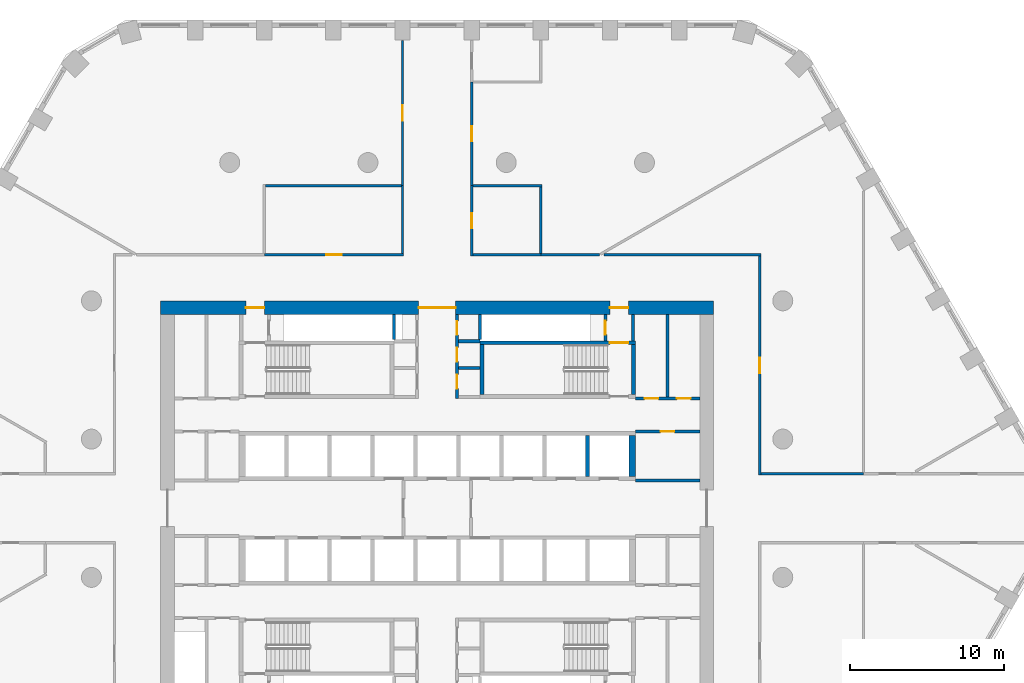
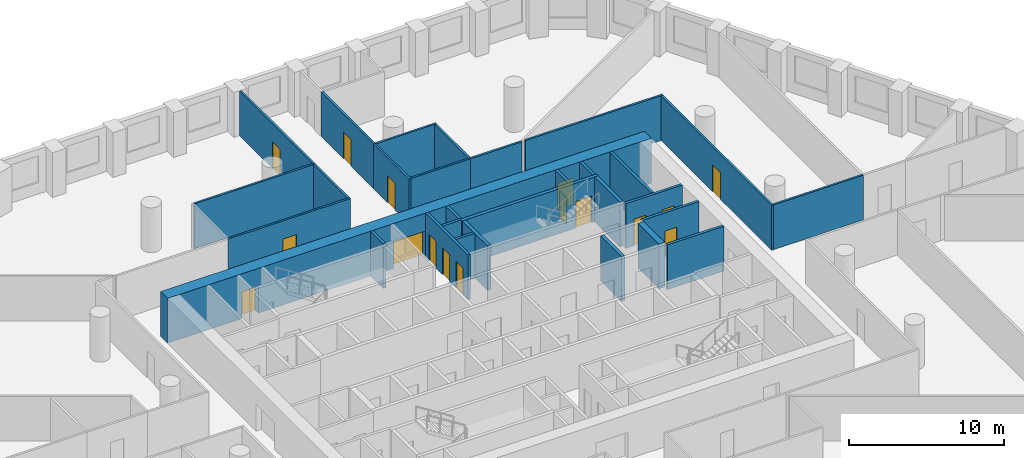
# One storey, part 7 of 10: 30 walls, 16 doors, 16 openings.
"""IFC4 building model written with IfcOpenShell, lengths in metres."""

from ifc_helpers import new_model, si_unit, direction, frame, frame_2d, origin, place, context, subcontext, project, spatial, polyline, rectangle, outline, extrude, material, layer, layer_set, type_object, element, fill, save


model = new_model("IFC4")

# Units and contexts
model_context = context("Model", 3, precision=1e-05, world=origin(), true_north=direction((0.0, 1.0)))
body_context = subcontext(model_context, "Body", "Model", "MODEL_VIEW")
ifc_project = project(units=[si_unit("LENGTHUNIT", "METRE"), si_unit("AREAUNIT", "SQUARE_METRE"), si_unit("VOLUMEUNIT", "CUBIC_METRE"), si_unit("PLANEANGLEUNIT", "RADIAN"), si_unit("MASSUNIT", "GRAM", prefix="KILO")], contexts=[model_context])

# Site, building, storey
site_placement = place(None, origin())
site = spatial("IfcSite", under=ifc_project, at=site_placement, CompositionType="ELEMENT")
building_placement = place(site_placement, origin())
building = spatial("IfcBuilding", under=site, at=building_placement, Name="Dhurran Vertical Campus", CompositionType="ELEMENT")
storey_placement = place(building_placement, frame((0.0, 0.0, 108.60009765625)))
storey = spatial("IfcBuildingStorey", under=building, at=storey_placement, Name="L26", CompositionType="ELEMENT", Elevation=108.60009765625)

# Wall, openings, doors
ifc_material_1 = material(Name="Concrete C60/75", Category="concrete")
ifc_layer_1 = layer(ifc_material_1, 0.89990234375)
ifc_layer_set_1 = layer_set([ifc_layer_1], Name="Concrete C60/75")
wall_type_1 = type_object("IfcWallType", Name="co-CORE-WALL-C0-900", PredefinedType="SHEAR", material=ifc_layer_set_1)
wall_1_placement = place(storey_placement, frame((-18.0, 13.050048828125, 0.0), z_axis=(0.0, 0.0, 1.0), x_axis=(1.0, 0.0, 0.0)))
wall_1 = element("IfcWall", 1, at=wall_1_placement, inside=storey, type_object=wall_type_1, Name="Core wall N L26", PredefinedType="SHEAR", context=body_context, shape_type="SweptSolid", body=[
    extrude(rectangle(XDim=36.0, YDim=0.89990234375, at=frame_2d((18.0, 0.0))), origin(), (0.0, 0.0, 1.0), 3.52490234375),
])
opening_1_placement = place(wall_1_placement, frame((16.800048828125, 0.0, 0.0)))
opening_1 = element("IfcOpeningElement", 2, at=opening_1_placement, cuts=wall_1, Name="Opening CV1", PredefinedType="OPENING", context=body_context, shape_type="SweptSolid", body=[
    extrude(rectangle(XDim=2.39990234375, YDim=2.10009765625, at=frame_2d((1.199951171875, 1.050048828125))), frame((0.0, 0.4599609375, 0.0), z_axis=(0.0, -1.0, 0.0), x_axis=(1.0, 0.0, 0.0)), (0.0, 0.0, 1.0), 0.919921875),
])
opening_2_placement = place(wall_1_placement, frame((5.550048828125, 0.0, 0.0)))
opening_2 = element("IfcOpeningElement", 3, at=opening_2_placement, cuts=wall_1, Name="Opening XD1", PredefinedType="OPENING", context=body_context, shape_type="SweptSolid", body=[
    extrude(rectangle(XDim=1.199951171875, YDim=2.10009765625, at=frame_2d((0.60009765625, 1.050048828125))), frame((0.0, 0.4599609375, 0.0), z_axis=(0.0, -1.0, 0.0), x_axis=(1.0, 0.0, 0.0)), (0.0, 0.0, 1.0), 0.919921875),
])
opening_3_placement = place(wall_1_placement, frame((29.25, 0.0, 0.0)))
opening_3 = element("IfcOpeningElement", 4, at=opening_3_placement, cuts=wall_1, Name="Opening XD2", PredefinedType="OPENING", context=body_context, shape_type="SweptSolid", body=[
    extrude(rectangle(XDim=1.199951171875, YDim=2.10009765625, at=frame_2d((0.60009765625, 1.050048828125))), frame((0.0, 0.4599609375, 0.0), z_axis=(0.0, -1.0, 0.0), x_axis=(1.0, 0.0, 0.0)), (0.0, 0.0, 1.0), 0.919921875),
])
ifc_material_2 = material(Name="Fire-rated glazed door set")
door_type_1 = type_object("IfcDoorType", Name="co-D-LOBBY 2400x2100", OperationType="DOUBLE_DOOR_DOUBLE_SWING", PredefinedType="DOOR", material=ifc_material_2)
door_1_placement = place(opening_1_placement, origin())
door_1 = element("IfcDoor", 5, at=door_1_placement, inside=storey, type_object=door_type_1, Name="Core vestibule door N L26", OperationType="DOUBLE_DOOR_DOUBLE_SWING", OverallHeight=2.10009765625, OverallWidth=2.39990234375, PredefinedType="DOOR", context=body_context, shape_type="SweptSolid", body=[
    extrude(rectangle(XDim=2.39990234375, YDim=2.10009765625, at=frame_2d((1.199951171875, 1.050048828125))), frame((0.0, 0.02490234375, 0.0), z_axis=(0.0, -1.0, 0.0), x_axis=(1.0, 0.0, 0.0)), (0.0, 0.0, 1.0), 0.050048828125),
])
fill(opening_1, door_1)
ifc_material_3 = material(Name="Fire-rated steel door set", Category="steel")
door_type_2 = type_object("IfcDoorType", Name="co-D-STAIR-EXIT 1200x2100", OperationType="SINGLE_SWING_RIGHT", PredefinedType="DOOR", material=ifc_material_3)
door_2_placement = place(opening_2_placement, origin())
door_2 = element("IfcDoor", 6, at=door_2_placement, inside=storey, type_object=door_type_2, Name="Stair ST1 exit door L26", OperationType="SINGLE_SWING_RIGHT", OverallHeight=2.10009765625, OverallWidth=1.199951171875, PredefinedType="DOOR", context=body_context, shape_type="SweptSolid", body=[
    extrude(rectangle(XDim=1.199951171875, YDim=2.10009765625, at=frame_2d((0.60009765625, 1.050048828125))), frame((0.0, 0.02490234375, 0.0), z_axis=(0.0, -1.0, 0.0), x_axis=(1.0, 0.0, 0.0)), (0.0, 0.0, 1.0), 0.050048828125),
])
fill(opening_2, door_2)
door_3_placement = place(opening_3_placement, origin())
door_3 = element("IfcDoor", 7, at=door_3_placement, inside=storey, type_object=door_type_2, Name="Stair ST2 exit door L26", OperationType="SINGLE_SWING_RIGHT", OverallHeight=2.10009765625, OverallWidth=1.199951171875, PredefinedType="DOOR", context=body_context, shape_type="SweptSolid", body=[
    extrude(rectangle(XDim=1.199951171875, YDim=2.10009765625, at=frame_2d((0.60009765625, 1.050048828125))), frame((0.0, 0.02490234375, 0.0), z_axis=(0.0, -1.0, 0.0), x_axis=(1.0, 0.0, 0.0)), (0.0, 0.0, 1.0), 0.050048828125),
])
fill(opening_3, door_3)

# Walls
ifc_material_4 = material(Name="Fire-rated masonry blockwork", Category="masonry")
ifc_layer_2 = layer(ifc_material_4, 0.199951171875)
ifc_layer_set_2 = layer_set([ifc_layer_2], Name="Fire-rated masonry blockwork")
wall_type_2 = type_object("IfcWallType", Name="co-FIRE-PARTITION-200", PredefinedType="PARTITIONING", material=ifc_layer_set_2)
for number, where, z_axis, x_axis, name in (
    (8, (1.39990234375, 9.135009765625, 0.0), (0.0, 0.0, 1.0), (1.0, 0.0, 0.0), "Core partition sl-NE-cut0 L26"),
    (9, (1.39990234375, 10.867431640625, 0.0), (0.0, 0.0, 1.0), (1.0, 0.0, 0.0), "Core partition sl-NE-cut1 L26"),
):
    element("IfcWall", number, at=place(storey_placement, frame(where, z_axis=z_axis, x_axis=x_axis)), inside=storey, type_object=wall_type_2, Name=name, PredefinedType="PARTITIONING", context=body_context, shape_type="SweptSolid", body=[
        extrude(rectangle(XDim=1.400146484375, YDim=0.199951171875, at=frame_2d((0.7001953125, 0.0))), origin(), (0.0, 0.0, 1.0), 3.52490234375),
    ])

# Wall, openings, doors
wall_2_placement = place(storey_placement, frame((1.300048828125, 7.14990234375, 0.0), z_axis=(0.0, 0.0, 1.0), x_axis=(0.0, 1.0, 0.0)))
wall_2 = element("IfcWall", 10, at=wall_2_placement, inside=storey, type_object=wall_type_2, Name="Core partition vest-NE L26", PredefinedType="PARTITIONING", context=body_context, shape_type="SweptSolid", body=[
    extrude(rectangle(XDim=5.4501953125, YDim=0.199951171875, at=frame_2d((2.72509765625, 0.0))), origin(), (0.0, 0.0, 1.0), 3.52490234375),
])
opening_4_placement = place(wall_2_placement, frame((0.642578125, 0.0, 0.0)))
opening_4 = element("IfcOpeningElement", 11, at=opening_4_placement, cuts=wall_2, Name="Opening T07-C10", PredefinedType="OPENING", context=body_context, shape_type="SweptSolid", body=[
    extrude(rectangle(XDim=0.89990234375, YDim=2.10009765625, at=frame_2d((0.449951171875, 1.050048828125))), frame((0.0, 0.10986328125, 0.0), z_axis=(0.0, -1.0, 0.0), x_axis=(1.0, 0.0, 0.0)), (0.0, 0.0, 1.0), 0.219970703125),
])
opening_5_placement = place(wall_2_placement, frame((2.401123046875, 0.0, 0.0)))
opening_5 = element("IfcOpeningElement", 12, at=opening_5_placement, cuts=wall_2, Name="Opening T07-C11", PredefinedType="OPENING", context=body_context, shape_type="SweptSolid", body=[
    extrude(rectangle(XDim=0.89990234375, YDim=2.10009765625, at=frame_2d((0.449951171875, 1.050048828125))), frame((0.0, 0.10986328125, 0.0), z_axis=(0.0, -1.0, 0.0), x_axis=(1.0, 0.0, 0.0)), (0.0, 0.0, 1.0), 0.219970703125),
])
opening_6_placement = place(wall_2_placement, frame((4.1337890625, 0.0, 0.0)))
opening_6 = element("IfcOpeningElement", 13, at=opening_6_placement, cuts=wall_2, Name="Opening T07-C12", PredefinedType="OPENING", context=body_context, shape_type="SweptSolid", body=[
    extrude(rectangle(XDim=0.89990234375, YDim=2.10009765625, at=frame_2d((0.449951171875, 1.050048828125))), frame((0.0, 0.10986328125, 0.0), z_axis=(0.0, -1.0, 0.0), x_axis=(1.0, 0.0, 0.0)), (0.0, 0.0, 1.0), 0.219970703125),
])
ifc_material_5 = material(Name="Fire-rated timber door set", Category="wood")
door_type_3 = type_object("IfcDoorType", Name="co-D-ROOM 900x2100", OperationType="SINGLE_SWING_LEFT", PredefinedType="DOOR", material=ifc_material_5)
door_4_placement = place(opening_4_placement, origin())
door_4 = element("IfcDoor", 14, at=door_4_placement, inside=storey, type_object=door_type_3, Name="Store door L26", OperationType="SINGLE_SWING_LEFT", OverallHeight=2.10009765625, OverallWidth=0.89990234375, PredefinedType="DOOR", context=body_context, shape_type="SweptSolid", body=[
    extrude(rectangle(XDim=0.89990234375, YDim=2.10009765625, at=frame_2d((0.449951171875, 1.050048828125))), frame((0.0, 0.02490234375, 0.0), z_axis=(0.0, -1.0, 0.0), x_axis=(1.0, 0.0, 0.0)), (0.0, 0.0, 1.0), 0.050048828125),
])
fill(opening_4, door_4)
door_5_placement = place(opening_5_placement, origin())
door_5 = element("IfcDoor", 15, at=door_5_placement, inside=storey, type_object=door_type_3, Name="Housekeeping store door L26", OperationType="SINGLE_SWING_LEFT", OverallHeight=2.10009765625, OverallWidth=0.89990234375, PredefinedType="DOOR", context=body_context, shape_type="SweptSolid", body=[
    extrude(rectangle(XDim=0.89990234375, YDim=2.10009765625, at=frame_2d((0.449951171875, 1.050048828125))), frame((0.0, 0.02490234375, 0.0), z_axis=(0.0, -1.0, 0.0), x_axis=(1.0, 0.0, 0.0)), (0.0, 0.0, 1.0), 0.050048828125),
])
fill(opening_5, door_5)
door_6_placement = place(opening_6_placement, origin())
door_6 = element("IfcDoor", 16, at=door_6_placement, inside=storey, type_object=door_type_3, Name="Waste room door L26", OperationType="SINGLE_SWING_LEFT", OverallHeight=2.10009765625, OverallWidth=0.89990234375, PredefinedType="DOOR", context=body_context, shape_type="SweptSolid", body=[
    extrude(rectangle(XDim=0.89990234375, YDim=2.10009765625, at=frame_2d((0.449951171875, 1.050048828125))), frame((0.0, 0.02490234375, 0.0), z_axis=(0.0, -1.0, 0.0), x_axis=(1.0, 0.0, 0.0)), (0.0, 0.0, 1.0), 0.050048828125),
])
fill(opening_6, door_6)

# Wall
wall_3_placement = place(storey_placement, frame((12.75, 10.89990234375, 0.0), z_axis=(0.0, 0.0, 1.0), x_axis=(0.0, 1.0, 0.0)))
element("IfcWall", 17, at=wall_3_placement, inside=storey, type_object=wall_type_2, Name="Core partition pass-ST2-o L26", PredefinedType="PARTITIONING", context=body_context, shape_type="SweptSolid", body=[
    extrude(rectangle(XDim=1.7001953125, YDim=0.199951171875, at=frame_2d((0.85009765625, 0.0))), origin(), (0.0, 0.0, 1.0), 3.52490234375),
])

# Wall, opening, door
wall_4_placement = place(storey_placement, frame((10.949951171875, 10.89990234375, 0.0), z_axis=(0.0, 0.0, 1.0), x_axis=(0.0, 1.0, 0.0)))
wall_4 = element("IfcWall", 18, at=wall_4_placement, inside=storey, type_object=wall_type_2, Name="Core partition pass-ST2-i L26", PredefinedType="PARTITIONING", context=body_context, shape_type="SweptSolid", body=[
    extrude(rectangle(XDim=1.7001953125, YDim=0.199951171875, at=frame_2d((0.85009765625, 0.0))), origin(), (0.0, 0.0, 1.0), 3.52490234375),
])
opening_7_placement = place(wall_4_placement, frame((0.39990234375, 0.0, 0.0)))
opening_7 = element("IfcOpeningElement", 19, at=opening_7_placement, cuts=wall_4, Name="Opening T07-C14", PredefinedType="OPENING", context=body_context, shape_type="SweptSolid", body=[
    extrude(rectangle(XDim=0.89990234375, YDim=2.10009765625, at=frame_2d((0.449951171875, 1.050048828125))), frame((0.0, 0.10986328125, 0.0), z_axis=(0.0, -1.0, 0.0), x_axis=(1.0, 0.0, 0.0)), (0.0, 0.0, 1.0), 0.219970703125),
])
door_7_placement = place(opening_7_placement, origin())
door_7 = element("IfcDoor", 20, at=door_7_placement, inside=storey, type_object=door_type_3, Name="Riser room door L26", OperationType="SINGLE_SWING_LEFT", OverallHeight=2.10009765625, OverallWidth=0.89990234375, PredefinedType="DOOR", context=body_context, shape_type="SweptSolid", body=[
    extrude(rectangle(XDim=0.89990234375, YDim=2.10009765625, at=frame_2d((0.449951171875, 1.050048828125))), frame((0.0, 0.02490234375, 0.0), z_axis=(0.0, -1.0, 0.0), x_axis=(1.0, 0.0, 0.0)), (0.0, 0.0, 1.0), 0.050048828125),
])
fill(opening_7, door_7)

# Wall
wall_5_placement = place(storey_placement, frame((15.0, 7.14990234375, 0.0), z_axis=(0.0, 0.0, 1.0), x_axis=(0.0, 1.0, 0.0)))
element("IfcWall", 21, at=wall_5_placement, inside=storey, type_object=wall_type_2, Name="Core partition en-NE-cut0 L26", PredefinedType="PARTITIONING", context=body_context, shape_type="SweptSolid", body=[
    extrude(rectangle(XDim=5.4501953125, YDim=0.199951171875, at=frame_2d((2.72509765625, 0.0))), origin(), (0.0, 0.0, 1.0), 3.52490234375),
])

# Wall, openings, doors
wall_6_placement = place(storey_placement, frame((12.89990234375, 7.14990234375, 0.0), z_axis=(0.0, 0.0, 1.0), x_axis=(1.0, 0.0, 0.0)))
wall_6 = element("IfcWall", 22, at=wall_6_placement, inside=storey, type_object=wall_type_2, Name="Core partition en-NE-w L26", PredefinedType="PARTITIONING", context=body_context, shape_type="SweptSolid", body=[
    extrude(rectangle(XDim=4.2001953125, YDim=0.199951171875, at=frame_2d((2.10009765625, 0.0))), origin(), (0.0, 0.0, 1.0), 3.52490234375),
])
opening_8_placement = place(wall_6_placement, frame((0.60009765625, 0.0, 0.0)))
opening_8 = element("IfcOpeningElement", 23, at=opening_8_placement, cuts=wall_6, Name="Opening T07-C21", PredefinedType="OPENING", context=body_context, shape_type="SweptSolid", body=[
    extrude(rectangle(XDim=0.89990234375, YDim=2.10009765625, at=frame_2d((0.449951171875, 1.050048828125))), frame((0.0, 0.10986328125, 0.0), z_axis=(0.0, -1.0, 0.0), x_axis=(1.0, 0.0, 0.0)), (0.0, 0.0, 1.0), 0.219970703125),
])
opening_9_placement = place(wall_6_placement, frame((2.699951171875, 0.0, 0.0)))
opening_9 = element("IfcOpeningElement", 24, at=opening_9_placement, cuts=wall_6, Name="Opening T07-C22", PredefinedType="OPENING", context=body_context, shape_type="SweptSolid", body=[
    extrude(rectangle(XDim=0.89990234375, YDim=2.10009765625, at=frame_2d((0.449951171875, 1.050048828125))), frame((0.0, 0.10986328125, 0.0), z_axis=(0.0, -1.0, 0.0), x_axis=(1.0, 0.0, 0.0)), (0.0, 0.0, 1.0), 0.219970703125),
])
door_8_placement = place(opening_8_placement, origin())
door_8 = element("IfcDoor", 25, at=door_8_placement, inside=storey, type_object=door_type_3, Name="Waste room door L26", OperationType="SINGLE_SWING_LEFT", OverallHeight=2.10009765625, OverallWidth=0.89990234375, PredefinedType="DOOR", context=body_context, shape_type="SweptSolid", body=[
    extrude(rectangle(XDim=0.89990234375, YDim=2.10009765625, at=frame_2d((0.449951171875, 1.050048828125))), frame((0.0, 0.02490234375, 0.0), z_axis=(0.0, -1.0, 0.0), x_axis=(1.0, 0.0, 0.0)), (0.0, 0.0, 1.0), 0.050048828125),
])
fill(opening_8, door_8)
door_9_placement = place(opening_9_placement, origin())
door_9 = element("IfcDoor", 26, at=door_9_placement, inside=storey, type_object=door_type_3, Name="Server room door L26", OperationType="SINGLE_SWING_LEFT", OverallHeight=2.10009765625, OverallWidth=0.89990234375, PredefinedType="DOOR", context=body_context, shape_type="SweptSolid", body=[
    extrude(rectangle(XDim=0.89990234375, YDim=2.10009765625, at=frame_2d((0.449951171875, 1.050048828125))), frame((0.0, 0.02490234375, 0.0), z_axis=(0.0, -1.0, 0.0), x_axis=(1.0, 0.0, 0.0)), (0.0, 0.0, 1.0), 0.050048828125),
])
fill(opening_9, door_9)

# Wall, opening, door
wall_7_placement = place(storey_placement, frame((12.89990234375, 5.0, 0.0), z_axis=(0.0, 0.0, 1.0), x_axis=(1.0, 0.0, 0.0)))
wall_7 = element("IfcWall", 27, at=wall_7_placement, inside=storey, type_object=wall_type_2, Name="Core partition es-NE-w L26", PredefinedType="PARTITIONING", context=body_context, shape_type="SweptSolid", body=[
    extrude(rectangle(XDim=4.2001953125, YDim=0.199951171875, at=frame_2d((2.10009765625, 0.0))), origin(), (0.0, 0.0, 1.0), 3.52490234375),
])
opening_10_placement = place(wall_7_placement, frame((1.64990234375, 0.0, 0.0)))
opening_10 = element("IfcOpeningElement", 28, at=opening_10_placement, cuts=wall_7, Name="Opening T07-C23", PredefinedType="OPENING", context=body_context, shape_type="SweptSolid", body=[
    extrude(rectangle(XDim=0.89990234375, YDim=2.10009765625, at=frame_2d((0.449951171875, 1.050048828125))), frame((0.0, 0.10986328125, 0.0), z_axis=(0.0, -1.0, 0.0), x_axis=(1.0, 0.0, 0.0)), (0.0, 0.0, 1.0), 0.219970703125),
])
door_10_placement = place(opening_10_placement, origin())
door_10 = element("IfcDoor", 29, at=door_10_placement, inside=storey, type_object=door_type_3, Name="Housekeeping store door L26", OperationType="SINGLE_SWING_LEFT", OverallHeight=2.10009765625, OverallWidth=0.89990234375, PredefinedType="DOOR", context=body_context, shape_type="SweptSolid", body=[
    extrude(rectangle(XDim=0.89990234375, YDim=2.10009765625, at=frame_2d((0.449951171875, 1.050048828125))), frame((0.0, 0.02490234375, 0.0), z_axis=(0.0, -1.0, 0.0), x_axis=(1.0, 0.0, 0.0)), (0.0, 0.0, 1.0), 0.050048828125),
])
fill(opening_10, door_10)

# Walls
wall_8_placement = place(storey_placement, frame((12.89990234375, 1.800048828125, 0.0), z_axis=(0.0, 0.0, 1.0), x_axis=(1.0, 0.0, 0.0)))
element("IfcWall", 30, at=wall_8_placement, inside=storey, type_object=wall_type_2, Name="Core partition es-NE-l L26", PredefinedType="PARTITIONING", context=body_context, shape_type="SweptSolid", body=[
    extrude(rectangle(XDim=4.2001953125, YDim=0.199951171875, at=frame_2d((2.10009765625, 0.0))), origin(), (0.0, 0.0, 1.0), 3.52490234375),
])
for number, where, z_axis, x_axis, name in (
    (31, (-2.800048828125, 10.968505859375, 0.0), (0.0, 0.0, 1.0), (0.0, 1.0, 0.0), "Riser enclosure wall L26"),
    (32, (2.800048828125, 12.59912109375, 0.0), (0.0, 0.0, 1.0), (0.0, -1.0, 0.0), "Riser enclosure wall L26"),
):
    element("IfcWall", number, at=place(storey_placement, frame(where, z_axis=z_axis, x_axis=x_axis)), inside=storey, type_object=wall_type_2, Name=name, PredefinedType="PARTITIONING", context=body_context, shape_type="SweptSolid", body=[
        extrude(rectangle(XDim=1.630615234375, YDim=0.199951171875, at=frame_2d((0.8154296875, 0.0))), origin(), (0.0, 0.0, 1.0), 3.52490234375),
    ])
ifc_material_6 = material(Name="Concrete C50/60", Category="concrete")
ifc_layer_3 = layer(ifc_material_6, 0.25)
ifc_layer_set_3 = layer_set([ifc_layer_3], Name="Concrete C50/60")
wall_type_3 = type_object("IfcWallType", Name="co-SHAFT-MASS-250", PredefinedType="SHEAR", material=ifc_layer_set_3)
wall_9_placement = place(storey_placement, origin())
element("IfcWall", 33, at=wall_9_placement, inside=storey, type_object=wall_type_3, Name="Lift shaft wall N L26 10", PredefinedType="SHEAR", context=body_context, shape_type="SweptSolid", body=[
    extrude(outline(polyline([(9.675048828125, 2.050048828125), (9.925048828125, 2.050048828125), (9.925048828125, 4.75), (9.675048828125, 4.75), (9.675048828125, 2.050048828125)])), origin(), (0.0, 0.0, 1.0), 3.52490234375),
])
wall_10_placement = place(storey_placement, origin())
element("IfcWall", 34, at=wall_10_placement, inside=storey, type_object=wall_type_3, Name="Lift shaft wall N L26 11", PredefinedType="SHEAR", context=body_context, shape_type="SweptSolid", body=[
    extrude(outline(polyline([(12.47509765625, 2.050048828125), (12.89990234375, 2.050048828125), (12.89990234375, 4.75), (12.47509765625, 4.75), (12.47509765625, 2.050048828125)])), origin(), (0.0, 0.0, 1.0), 3.52490234375),
])

# Wall, opening, door
ifc_material_7 = material(Name="Concrete C40/50", Category="concrete")
ifc_layer_4 = layer(ifc_material_7, 0.25)
ifc_layer_set_4 = layer_set([ifc_layer_4], Name="Concrete C40/50")
wall_type_4 = type_object("IfcWallType", Name="co-STAIR-WALL-250", PredefinedType="SHEAR", material=ifc_layer_set_4)
wall_11_placement = place(storey_placement, frame((2.800048828125, 10.77490234375, 0.0), z_axis=(0.0, 0.0, 1.0), x_axis=(1.0, 0.0, 0.0)))
wall_11 = element("IfcWall", 35, at=wall_11_placement, inside=storey, type_object=wall_type_4, Name="Stair ST2 enclosure wall L26", PredefinedType="SHEAR", context=body_context, shape_type="SweptSolid", body=[
    extrude(rectangle(XDim=10.099853515625, YDim=0.25, at=frame_2d((5.0498046875, 0.0))), origin(), (0.0, 0.0, 1.0), 3.52490234375),
])
opening_11_placement = place(wall_11_placement, frame((8.449951171875, 0.0, 0.0)))
opening_11 = element("IfcOpeningElement", 36, at=opening_11_placement, cuts=wall_11, Name="Opening XS2", PredefinedType="OPENING", context=body_context, shape_type="SweptSolid", body=[
    extrude(rectangle(XDim=1.199951171875, YDim=2.10009765625, at=frame_2d((0.60009765625, 1.050048828125))), frame((0.0, 0.135009765625, 0.0), z_axis=(0.0, -1.0, 0.0), x_axis=(1.0, 0.0, 0.0)), (0.0, 0.0, 1.0), 0.27001953125),
])
door_11_placement = place(opening_11_placement, origin())
door_11 = element("IfcDoor", 37, at=door_11_placement, inside=storey, type_object=door_type_2, Name="Stair ST2 discharge door L26", OperationType="SINGLE_SWING_RIGHT", OverallHeight=2.10009765625, OverallWidth=1.199951171875, PredefinedType="DOOR", context=body_context, shape_type="SweptSolid", body=[
    extrude(rectangle(XDim=1.199951171875, YDim=2.10009765625, at=frame_2d((0.60009765625, 1.050048828125))), frame((0.0, 0.02490234375, 0.0), z_axis=(0.0, -1.0, 0.0), x_axis=(1.0, 0.0, 0.0)), (0.0, 0.0, 1.0), 0.050048828125),
])
fill(opening_11, door_11)

# Walls
for number, where, z_axis, x_axis, name in (
    (38, (2.925048828125, 7.39990234375, 0.0), (0.0, 0.0, 1.0), (0.0, 1.0, 0.0), "Stair ST2 enclosure wall L26"),
    (39, (12.77490234375, 7.39990234375, 0.0), (0.0, 0.0, 1.0), (0.0, 1.0, 0.0), "Stair ST2 enclosure wall L26"),
):
    element("IfcWall", number, at=place(storey_placement, frame(where, z_axis=z_axis, x_axis=x_axis)), inside=storey, type_object=wall_type_4, Name=name, PredefinedType="SHEAR", context=body_context, shape_type="SweptSolid", body=[
        extrude(rectangle(XDim=3.25, YDim=0.25, at=frame_2d((1.625, 0.0))), origin(), (0.0, 0.0, 1.0), 3.52490234375),
    ])

# Wall, opening, door
ifc_material_8 = material(Name="Gypsum board corridor wall on steel studs", Category="steel")
ifc_layer_5 = layer(ifc_material_8, 0.14990234375)
ifc_layer_set_5 = layer_set([ifc_layer_5], Name="Gypsum board corridor wall on steel studs")
wall_type_5 = type_object("IfcWallType", Name="fl-CW-150 corridor wall", PredefinedType="PARTITIONING", material=ifc_layer_set_5)
wall_12_placement = place(storey_placement, frame((-2.175048828125, 16.5, 0.0), z_axis=(0.0, 0.0, 1.0), x_axis=(-1.0, 0.0, 0.0)))
wall_12 = element("IfcWall", 40, at=wall_12_placement, inside=storey, type_object=wall_type_5, Name="Partition 26-27", PredefinedType="PARTITIONING", context=body_context, shape_type="SweptSolid", body=[
    extrude(rectangle(XDim=9.074951171875, YDim=0.14990234375, at=frame_2d((4.53759765625, 0.0))), origin(), (0.0, 0.0, 1.0), 3.52490234375),
])
opening_12_placement = place(wall_12_placement, frame((4.03759765625, 0.0, 0.0)))
opening_12 = element("IfcOpeningElement", 41, at=opening_12_placement, cuts=wall_12, Name="Opening T07.10", PredefinedType="OPENING", context=body_context, shape_type="SweptSolid", body=[
    extrude(rectangle(XDim=1.0, YDim=2.10009765625, at=frame_2d((0.5, 1.050048828125))), frame((0.0, 0.0849609375, 0.0), z_axis=(0.0, -1.0, 0.0), x_axis=(1.0, 0.0, 0.0)), (0.0, 0.0, 1.0), 0.169921875),
])
ifc_material_9 = material(Name="Solid-core timber door set, fire-rated", Category="wood")
door_type_4 = type_object("IfcDoorType", Name="fl-D-1000x2100", OperationType="SINGLE_SWING_LEFT", PredefinedType="DOOR", material=ifc_material_9)
door_12_placement = place(opening_12_placement, origin())
door_12 = element("IfcDoor", 42, at=door_12_placement, inside=storey, type_object=door_type_4, Name="Door 26.10", OperationType="SINGLE_SWING_RIGHT", OverallHeight=2.10009765625, OverallWidth=1.0, PredefinedType="DOOR", context=body_context, shape_type="SweptSolid", body=[
    extrude(rectangle(XDim=1.0, YDim=2.10009765625, at=frame_2d((0.5, 1.050048828125))), frame((0.0, 0.02490234375, 0.0), z_axis=(0.0, -1.0, 0.0), x_axis=(1.0, 0.0, 0.0)), (0.0, 0.0, 1.0), 0.050048828125),
])
fill(opening_12, door_12)

# Wall
wall_13_placement = place(storey_placement, frame((-2.25, 16.574951171875, 0.0), z_axis=(0.0, 0.0, 1.0), x_axis=(0.0, 1.0, 0.0)))
element("IfcWall", 43, at=wall_13_placement, inside=storey, type_object=wall_type_5, Name="Partition 26-31", PredefinedType="PARTITIONING", context=body_context, shape_type="SweptSolid", body=[
    extrude(rectangle(XDim=4.425048828125, YDim=0.14990234375, at=frame_2d((2.21240234375, 0.0))), origin(), (0.0, 0.0, 1.0), 3.52490234375),
])

# Wall, opening, door
wall_14_placement = place(storey_placement, frame((-2.25, 21.0, 0.0), z_axis=(0.0, 0.0, 1.0), x_axis=(0.0, 1.0, 0.0)))
wall_14 = element("IfcWall", 44, at=wall_14_placement, inside=storey, type_object=wall_type_5, Name="Partition 26-32", PredefinedType="PARTITIONING", context=body_context, shape_type="SweptSolid", body=[
    extrude(rectangle(XDim=9.459716796875, YDim=0.14990234375, at=frame_2d((4.72998046875, 0.0))), origin(), (0.0, 0.0, 1.0), 3.52490234375),
])
opening_13_placement = place(wall_14_placement, frame((4.22998046875, 0.0, 0.0)))
opening_13 = element("IfcOpeningElement", 45, at=opening_13_placement, cuts=wall_14, Name="Opening T07.08", PredefinedType="OPENING", context=body_context, shape_type="SweptSolid", body=[
    extrude(rectangle(XDim=1.0, YDim=2.10009765625, at=frame_2d((0.5, 1.050048828125))), frame((0.0, 0.0849609375, 0.0), z_axis=(0.0, -1.0, 0.0), x_axis=(1.0, 0.0, 0.0)), (0.0, 0.0, 1.0), 0.169921875),
])
door_13_placement = place(opening_13_placement, origin())
door_13 = element("IfcDoor", 46, at=door_13_placement, inside=storey, type_object=door_type_4, Name="Door 26.08", OperationType="SINGLE_SWING_RIGHT", OverallHeight=2.10009765625, OverallWidth=1.0, PredefinedType="DOOR", context=body_context, shape_type="SweptSolid", body=[
    extrude(rectangle(XDim=1.0, YDim=2.10009765625, at=frame_2d((0.5, 1.050048828125))), frame((0.0, 0.02490234375, 0.0), z_axis=(0.0, -1.0, 0.0), x_axis=(1.0, 0.0, 0.0)), (0.0, 0.0, 1.0), 0.050048828125),
])
fill(opening_13, door_13)

wall_15_placement = place(storey_placement, frame((2.25, 21.0, 0.0), z_axis=(0.0, 0.0, 1.0), x_axis=(0.0, -1.0, 0.0)))
wall_15 = element("IfcWall", 47, at=wall_15_placement, inside=storey, type_object=wall_type_5, Name="Partition 26-37", PredefinedType="PARTITIONING", context=body_context, shape_type="SweptSolid", body=[
    extrude(rectangle(XDim=4.574951171875, YDim=0.14990234375, at=frame_2d((2.28759765625, 0.0))), origin(), (0.0, 0.0, 1.0), 3.52490234375),
])
opening_14_placement = place(wall_15_placement, frame((1.78759765625, 0.0, 0.0)))
opening_14 = element("IfcOpeningElement", 48, at=opening_14_placement, cuts=wall_15, Name="Opening T07.11", PredefinedType="OPENING", context=body_context, shape_type="SweptSolid", body=[
    extrude(rectangle(XDim=1.0, YDim=2.10009765625, at=frame_2d((0.5, 1.050048828125))), frame((0.0, 0.0849609375, 0.0), z_axis=(0.0, -1.0, 0.0), x_axis=(1.0, 0.0, 0.0)), (0.0, 0.0, 1.0), 0.169921875),
])
door_14_placement = place(opening_14_placement, origin())
door_14 = element("IfcDoor", 49, at=door_14_placement, inside=storey, type_object=door_type_4, Name="Door 26.11", OperationType="SINGLE_SWING_RIGHT", OverallHeight=2.10009765625, OverallWidth=1.0, PredefinedType="DOOR", context=body_context, shape_type="SweptSolid", body=[
    extrude(rectangle(XDim=1.0, YDim=2.10009765625, at=frame_2d((0.5, 1.050048828125))), frame((0.0, 0.02490234375, 0.0), z_axis=(0.0, -1.0, 0.0), x_axis=(1.0, 0.0, 0.0)), (0.0, 0.0, 1.0), 0.050048828125),
])
fill(opening_14, door_14)

# Wall
wall_16_placement = place(storey_placement, frame((6.75, 16.5, 0.0), z_axis=(0.0, 0.0, 1.0), x_axis=(-1.0, 0.0, 0.0)))
element("IfcWall", 50, at=wall_16_placement, inside=storey, type_object=wall_type_5, Name="Partition 26-38", PredefinedType="PARTITIONING", context=body_context, shape_type="SweptSolid", body=[
    extrude(rectangle(XDim=4.425048828125, YDim=0.14990234375, at=frame_2d((2.21240234375, 0.0))), origin(), (0.0, 0.0, 1.0), 3.52490234375),
])

# Wall, opening, door
wall_17_placement = place(storey_placement, frame((2.25, 27.75, 0.0), z_axis=(0.0, 0.0, 1.0), x_axis=(0.0, -1.0, 0.0)))
wall_17 = element("IfcWall", 51, at=wall_17_placement, inside=storey, type_object=wall_type_5, Name="Partition 26-39", PredefinedType="PARTITIONING", context=body_context, shape_type="SweptSolid", body=[
    extrude(rectangle(XDim=6.75, YDim=0.14990234375, at=frame_2d((3.375, 0.0))), origin(), (0.0, 0.0, 1.0), 3.52490234375),
])
opening_15_placement = place(wall_17_placement, frame((2.875, 0.0, 0.0)))
opening_15 = element("IfcOpeningElement", 52, at=opening_15_placement, cuts=wall_17, Name="Opening T07.15", PredefinedType="OPENING", context=body_context, shape_type="SweptSolid", body=[
    extrude(rectangle(XDim=1.0, YDim=2.10009765625, at=frame_2d((0.5, 1.050048828125))), frame((0.0, 0.0849609375, 0.0), z_axis=(0.0, -1.0, 0.0), x_axis=(1.0, 0.0, 0.0)), (0.0, 0.0, 1.0), 0.169921875),
])
door_15_placement = place(opening_15_placement, origin())
door_15 = element("IfcDoor", 53, at=door_15_placement, inside=storey, type_object=door_type_4, Name="Door 26.15", OperationType="SINGLE_SWING_RIGHT", OverallHeight=2.10009765625, OverallWidth=1.0, PredefinedType="DOOR", context=body_context, shape_type="SweptSolid", body=[
    extrude(rectangle(XDim=1.0, YDim=2.10009765625, at=frame_2d((0.5, 1.050048828125))), frame((0.0, 0.02490234375, 0.0), z_axis=(0.0, -1.0, 0.0), x_axis=(1.0, 0.0, 0.0)), (0.0, 0.0, 1.0), 0.050048828125),
])
fill(opening_15, door_15)

# Walls
wall_18_placement = place(storey_placement, frame((10.5791015625, 16.5, 0.0), z_axis=(0.0, 0.0, 1.0), x_axis=(-1.0, 0.0, 0.0)))
element("IfcWall", 54, at=wall_18_placement, inside=storey, type_object=wall_type_5, Name="Partition 26-44", PredefinedType="PARTITIONING", context=body_context, shape_type="SweptSolid", body=[
    extrude(rectangle(XDim=3.8291015625, YDim=0.14990234375, at=frame_2d((1.91455078125, 0.0))), origin(), (0.0, 0.0, 1.0), 3.52490234375),
])
wall_19_placement = place(storey_placement, frame((21.074951171875, 16.5, 0.0), z_axis=(0.0, 0.0, 1.0), x_axis=(-1.0, 0.0, 0.0)))
element("IfcWall", 55, at=wall_19_placement, inside=storey, type_object=wall_type_5, Name="Partition 26-46", PredefinedType="PARTITIONING", context=body_context, shape_type="SweptSolid", body=[
    extrude(rectangle(XDim=10.220947265625, YDim=0.14990234375, at=frame_2d((5.1103515625, 0.0))), origin(), (0.0, 0.0, 1.0), 3.52490234375),
])

# Wall, opening, door
wall_20_placement = place(storey_placement, frame((21.0, 2.175048828125, 0.0), z_axis=(0.0, 0.0, 1.0), x_axis=(0.0, 1.0, 0.0)))
wall_20 = element("IfcWall", 56, at=wall_20_placement, inside=storey, type_object=wall_type_5, Name="Partition 26-54", PredefinedType="PARTITIONING", context=body_context, shape_type="SweptSolid", body=[
    extrude(rectangle(XDim=14.25, YDim=0.14990234375, at=frame_2d((7.125, 0.0))), origin(), (0.0, 0.0, 1.0), 3.52490234375),
])
opening_16_placement = place(wall_20_placement, frame((6.625, 0.0, 0.0)))
opening_16 = element("IfcOpeningElement", 57, at=opening_16_placement, cuts=wall_20, Name="Opening T07.16", PredefinedType="OPENING", context=body_context, shape_type="SweptSolid", body=[
    extrude(rectangle(XDim=1.0, YDim=2.10009765625, at=frame_2d((0.5, 1.050048828125))), frame((0.0, 0.0849609375, 0.0), z_axis=(0.0, -1.0, 0.0), x_axis=(1.0, 0.0, 0.0)), (0.0, 0.0, 1.0), 0.169921875),
])
door_16_placement = place(opening_16_placement, origin())
door_16 = element("IfcDoor", 58, at=door_16_placement, inside=storey, type_object=door_type_4, Name="Door 26.16", OperationType="SINGLE_SWING_RIGHT", OverallHeight=2.10009765625, OverallWidth=1.0, PredefinedType="DOOR", context=body_context, shape_type="SweptSolid", body=[
    extrude(rectangle(XDim=1.0, YDim=2.10009765625, at=frame_2d((0.5, 1.050048828125))), frame((0.0, 0.02490234375, 0.0), z_axis=(0.0, -1.0, 0.0), x_axis=(1.0, 0.0, 0.0)), (0.0, 0.0, 1.0), 0.050048828125),
])
fill(opening_16, door_16)

# Walls
wall_21_placement = place(storey_placement, frame((21.074951171875, 2.25, 0.0), z_axis=(0.0, 0.0, 1.0), x_axis=(1.0, 0.0, 0.0)))
element("IfcWall", 59, at=wall_21_placement, inside=storey, type_object=wall_type_5, Name="Partition 26-55", PredefinedType="PARTITIONING", context=body_context, shape_type="SweptSolid", body=[
    extrude(rectangle(XDim=6.675048828125, YDim=0.14990234375, at=frame_2d((3.33740234375, 0.0))), origin(), (0.0, 0.0, 1.0), 3.52490234375),
])
ifc_material_10 = material(Name="Gypsum board partition on steel studs", Category="steel")
ifc_layer_6 = layer(ifc_material_10, 0.14990234375)
ifc_layer_set_6 = layer_set([ifc_layer_6], Name="Gypsum board partition on steel studs")
wall_type_6 = type_object("IfcWallType", Name="fl-PW-150 fixed partition", PredefinedType="PARTITIONING", material=ifc_layer_set_6)
wall_22_placement = place(storey_placement, frame((-2.324951171875, 21.0, 0.0), z_axis=(0.0, 0.0, 1.0), x_axis=(-1.0, 0.0, 0.0)))
element("IfcWall", 60, at=wall_22_placement, inside=storey, type_object=wall_type_6, Name="Partition 26-28", PredefinedType="PARTITIONING", context=body_context, shape_type="SweptSolid", body=[
    extrude(rectangle(XDim=8.85009765625, YDim=0.14990234375, at=frame_2d((4.425048828125, 0.0))), origin(), (0.0, 0.0, 1.0), 3.52490234375),
])
wall_23_placement = place(storey_placement, frame((2.324951171875, 21.0, 0.0), z_axis=(0.0, 0.0, 1.0), x_axis=(1.0, 0.0, 0.0)))
element("IfcWall", 61, at=wall_23_placement, inside=storey, type_object=wall_type_6, Name="Partition 26-40", PredefinedType="PARTITIONING", context=body_context, shape_type="SweptSolid", body=[
    extrude(rectangle(XDim=4.5, YDim=0.14990234375, at=frame_2d((2.25, 0.0))), origin(), (0.0, 0.0, 1.0), 3.52490234375),
])
wall_24_placement = place(storey_placement, frame((6.75, 20.925048828125, 0.0), z_axis=(0.0, 0.0, 1.0), x_axis=(0.0, -1.0, 0.0)))
element("IfcWall", 62, at=wall_24_placement, inside=storey, type_object=wall_type_6, Name="Partition 26-43", PredefinedType="PARTITIONING", context=body_context, shape_type="SweptSolid", body=[
    extrude(rectangle(XDim=4.35009765625, YDim=0.14990234375, at=frame_2d((2.175048828125, 0.0))), origin(), (0.0, 0.0, 1.0), 3.52490234375),
])

save(model, "model.ifc")
